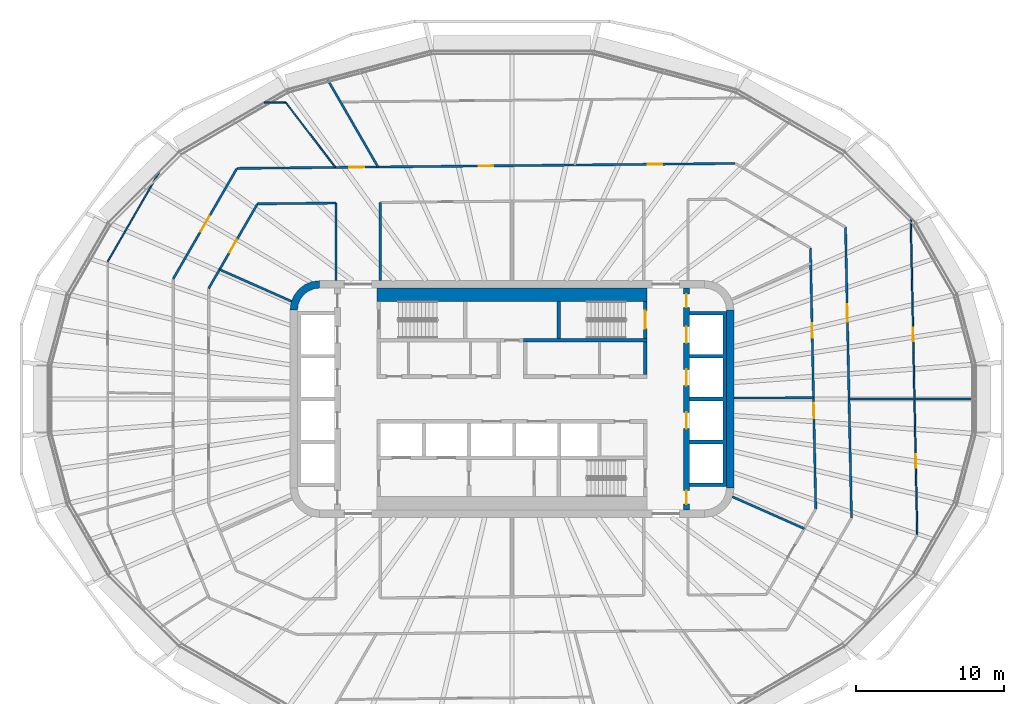
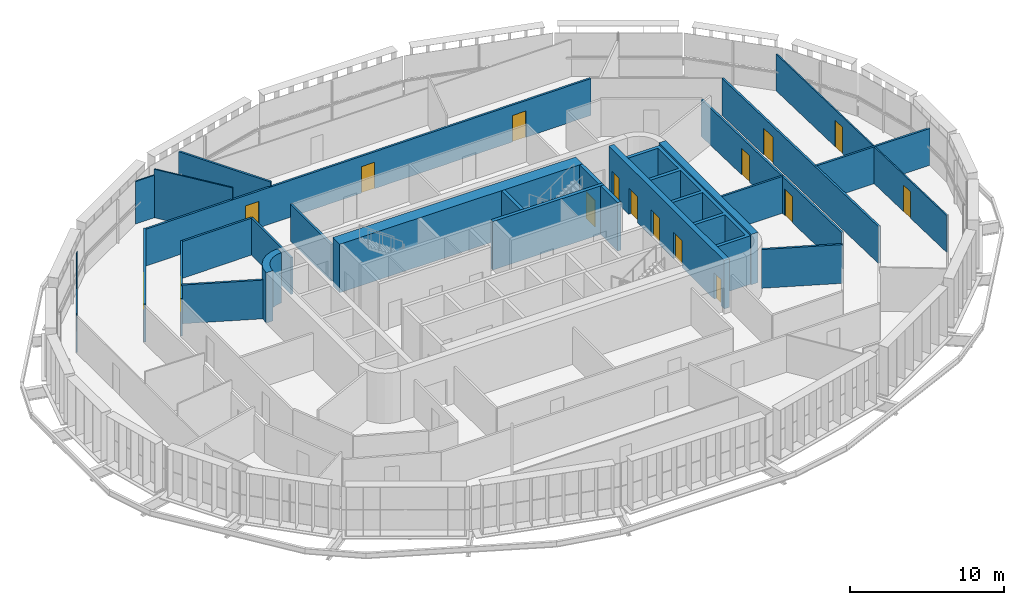
# One storey, part 14 of 23: 26 walls, 16 doors, 16 openings.
"""IFC4 building model written with IfcOpenShell, lengths in metres."""

from ifc_helpers import new_model, si_unit, direction, frame, frame_2d, origin, place, context, subcontext, project, spatial, polyline, rectangle, outline, extrude, material, layer, layer_set, type_object, element, fill, save


model = new_model("IFC4")

# Units and contexts
model_context = context("Model", 3, precision=1e-05, world=origin(), true_north=direction((0.0, 1.0)))
body_context = subcontext(model_context, "Body", "Model", "MODEL_VIEW")
ifc_project = project(units=[si_unit("LENGTHUNIT", "METRE"), si_unit("AREAUNIT", "SQUARE_METRE"), si_unit("VOLUMEUNIT", "CUBIC_METRE"), si_unit("PLANEANGLEUNIT", "RADIAN"), si_unit("MASSUNIT", "GRAM", prefix="KILO")], contexts=[model_context])

# Site, building, storey
site_placement = place(None, origin())
site = spatial("IfcSite", under=ifc_project, at=site_placement, CompositionType="ELEMENT")
building_placement = place(site_placement, origin())
building = spatial("IfcBuilding", under=site, at=building_placement, Name="Sahrelin Media Tower", CompositionType="ELEMENT")
storey_placement = place(building_placement, frame((0.0, 0.0, 161.60009765625)))
storey = spatial("IfcBuildingStorey", under=building, at=storey_placement, Name="L33", CompositionType="ELEMENT", Elevation=161.60009765625)

# Walls
ifc_material_1 = material(Name="Concrete C60/75", Category="concrete")
ifc_layer_1 = layer(ifc_material_1, 0.5)
ifc_layer_set_1 = layer_set([ifc_layer_1], Name="Core wall 500")
wall_type_1 = type_object("IfcWallType", Name="Core wall 500", PredefinedType="SHEAR", material=ifc_layer_set_1)
wall_1_placement = place(storey_placement, frame((14.75, -6.0, 0.0), z_axis=(0.0, 0.0, 1.0), x_axis=(0.0, 1.0, 0.0)))
element("IfcWall", 1, at=wall_1_placement, inside=storey, type_object=wall_type_1, Name="Core wall E L33", PredefinedType="SHEAR", context=body_context, shape_type="SweptSolid", body=[
    extrude(rectangle(XDim=12.0, YDim=0.5, at=frame_2d((6.0, 0.0))), origin(), (0.0, 0.0, 1.0), 4.0),
])
placement = place(storey_placement, origin())
element("IfcWall", 2, at=placement, inside=storey, type_object=wall_type_1, Name="Core wall corner NW L33", PredefinedType="SHEAR", context=body_context, shape_type="SweptSolid", body=[
    extrude(outline(polyline([(-15.0, 6.0), (-14.49560546875, 6.0), (-14.44482421875, 6.38720703125), (-14.29541015625, 6.747802734375), (-14.0576171875, 7.0576171875), (-13.747802734375, 7.29541015625), (-13.38720703125, 7.44482421875), (-13.0, 7.49560546875), (-13.0, 8.0), (-13.517578125, 7.931884765625), (-14.0, 7.732177734375), (-14.414306640625, 7.414306640625), (-14.732177734375, 7.0), (-14.931884765625, 6.517578125), (-15.0, 6.0)])), origin(), (0.0, 0.0, 1.0), 4.0),
])
ifc_material_2 = material(Name="Fire-rated gypsum board partition")
ifc_layer_2 = layer(ifc_material_2, 0.25)
ifc_layer_set_2 = layer_set([ifc_layer_2], Name="Fire-rated lobby wall 250")
wall_type_2 = type_object("IfcWallType", Name="Fire-rated lobby wall 250", PredefinedType="PARTITIONING", material=ifc_layer_set_2)
wall_3_placement = place(storey_placement, frame((9.0, 1.64990234375, 0.0), z_axis=(0.0, 0.0, 1.0), x_axis=(0.0, 1.0, 0.0)))
element("IfcWall", 3, at=wall_3_placement, inside=storey, type_object=wall_type_2, Name="Core lobby wall", PredefinedType="PARTITIONING", context=body_context, shape_type="SweptSolid", body=[
    extrude(rectangle(XDim=2.2001953125, YDim=0.25, at=frame_2d((1.10009765625, 0.0))), origin(), (0.0, 0.0, 1.0), 3.849853515625),
])

# Wall, openings, doors
ifc_layer_3 = layer(ifc_material_2, 0.14990234375)
ifc_layer_set_3 = layer_set([ifc_layer_3], Name="Fire-rated partition 150")
wall_type_3 = type_object("IfcWallType", Name="Fire-rated partition 150", PredefinedType="PARTITIONING", material=ifc_layer_set_3)
wall_4_placement = place(storey_placement, frame((20.1669921875, 10.212890625, 0.0), z_axis=(0.0, 0.0, 1.0), x_axis=(0.020638567039, -0.999787002091, 0.0)))
wall_4 = element("IfcWall", 4, at=wall_4_placement, inside=storey, type_object=wall_type_3, Name="Wall", PredefinedType="PARTITIONING", context=body_context, shape_type="SweptSolid", body=[
    extrude(rectangle(XDim=17.637451171875, YDim=0.14990234375, at=frame_2d((8.81884765625, 0.0))), origin(), (0.0, 0.0, 1.0), 2.927001953125),
])
opening_1_placement = place(wall_4_placement, frame((10.50732421875, 0.0, 0.0)))
opening_1 = element("IfcOpeningElement", 5, at=opening_1_placement, cuts=wall_4, Name="Opening L33-D25", PredefinedType="OPENING", context=body_context, shape_type="SweptSolid", body=[
    extrude(rectangle(XDim=1.0, YDim=2.10009765625, at=frame_2d((0.5, 1.050048828125))), frame((0.0, 0.074951171875, 0.0), z_axis=(0.0, -1.0, 0.0), x_axis=(1.0, 0.0, 0.0)), (0.0, 0.0, 1.0), 0.14990234375),
])
opening_2_placement = place(wall_4_placement, frame((5.089111328125, 0.0, 0.0)))
opening_2 = element("IfcOpeningElement", 6, at=opening_2_placement, cuts=wall_4, Name="Opening L33-D26", PredefinedType="OPENING", context=body_context, shape_type="SweptSolid", body=[
    extrude(rectangle(XDim=1.0, YDim=2.10009765625, at=frame_2d((0.5, 1.050048828125))), frame((0.0, 0.074951171875, 0.0), z_axis=(0.0, -1.0, 0.0), x_axis=(1.0, 0.0, 0.0)), (0.0, 0.0, 1.0), 0.14990234375),
])
ifc_material_3 = material(Name="Steel fire door leaf", Category="steel")
door_type_1 = type_object("IfcDoorType", Name="Fire door 1000 x 2100 EI 60", OperationType="NOTDEFINED", PredefinedType="DOOR", material=ifc_material_3)
door_1_placement = place(opening_1_placement, origin())
door_1 = element("IfcDoor", 7, at=door_1_placement, inside=storey, type_object=door_type_1, Name="Fire door", OperationType="SINGLE_SWING_RIGHT", OverallHeight=2.10009765625, OverallWidth=1.0, PredefinedType="DOOR", context=body_context, shape_type="SweptSolid", body=[
    extrude(rectangle(XDim=1.0, YDim=2.10009765625, at=frame_2d((0.5, 1.050048828125))), frame((0.0, 0.02490234375, 0.0), z_axis=(0.0, -1.0, 0.0), x_axis=(1.0, 0.0, 0.0)), (0.0, 0.0, 1.0), 0.050048828125),
])
fill(opening_1, door_1)
door_2_placement = place(opening_2_placement, origin())
door_2 = element("IfcDoor", 8, at=door_2_placement, inside=storey, type_object=door_type_1, Name="Fire door", OperationType="SINGLE_SWING_LEFT", OverallHeight=2.10009765625, OverallWidth=1.0, PredefinedType="DOOR", context=body_context, shape_type="SweptSolid", body=[
    extrude(rectangle(XDim=1.0, YDim=2.10009765625, at=frame_2d((0.5, 1.050048828125))), frame((0.0, 0.02490234375, 0.0), z_axis=(0.0, -1.0, 0.0), x_axis=(1.0, 0.0, 0.0)), (0.0, 0.0, 1.0), 0.050048828125),
])
fill(opening_2, door_2)

# Wall, opening, door
wall_5_placement = place(storey_placement, frame((22.5390625, 11.614990234375, 0.0), z_axis=(0.0, 0.0, 1.0), x_axis=(0.020626332176, -0.99978725458, 0.0)))
wall_5 = element("IfcWall", 9, at=wall_5_placement, inside=storey, type_object=wall_type_3, Name="Wall", PredefinedType="PARTITIONING", context=body_context, shape_type="SweptSolid", body=[
    extrude(rectangle(XDim=19.66015625, YDim=0.14990234375, at=frame_2d((9.830078125, 0.0))), origin(), (0.0, 0.0, 1.0), 2.927001953125),
])
opening_3_placement = place(wall_5_placement, frame((5.20751953125, 0.0, 0.0)))
opening_3 = element("IfcOpeningElement", 10, at=opening_3_placement, cuts=wall_5, Name="Opening L33-D48", PredefinedType="OPENING", context=body_context, shape_type="SweptSolid", body=[
    extrude(rectangle(XDim=1.199951171875, YDim=2.10009765625, at=frame_2d((0.60009765625, 1.050048828125))), frame((0.0, 0.074951171875, 0.0), z_axis=(0.0, -1.0, 0.0), x_axis=(1.0, 0.0, 0.0)), (0.0, 0.0, 1.0), 0.14990234375),
])
door_type_2 = type_object("IfcDoorType", Name="Service double door 1200 x 2100 EI 60", OperationType="DOUBLE_DOOR_SINGLE_SWING", PredefinedType="DOOR", material=ifc_material_3)
door_3_placement = place(opening_3_placement, origin())
door_3 = element("IfcDoor", 11, at=door_3_placement, inside=storey, type_object=door_type_2, Name="Service double door", OperationType="DOUBLE_DOOR_SINGLE_SWING", OverallHeight=2.10009765625, OverallWidth=1.199951171875, PredefinedType="DOOR", context=body_context, shape_type="SweptSolid", body=[
    extrude(rectangle(XDim=1.199951171875, YDim=2.10009765625, at=frame_2d((0.60009765625, 1.050048828125))), frame((0.0, 0.02490234375, 0.0), z_axis=(0.0, -1.0, 0.0), x_axis=(1.0, 0.0, 0.0)), (0.0, 0.0, 1.0), 0.050048828125),
])
fill(opening_3, door_3)

# Walls
wall_6_placement = place(storey_placement, frame((-12.492919921875, 21.638916015625, 0.0), z_axis=(0.0, 0.0, 1.0), x_axis=(0.500006143547, -0.866021856777, 0.0)))
element("IfcWall", 12, at=wall_6_placement, inside=storey, type_object=wall_type_3, Name="Wall", PredefinedType="PARTITIONING", context=body_context, shape_type="SweptSolid", body=[
    extrude(rectangle(XDim=6.87841796875, YDim=0.14990234375, at=frame_2d((3.439208984375, 0.0))), origin(), (0.0, 0.0, 1.0), 3.301513671875),
])
wall_7_placement = place(storey_placement, frame((-19.760009765625, 8.7548828125, 0.0), z_axis=(0.0, 0.0, 1.0), x_axis=(0.91424834547, -0.405154245695, 0.0)))
element("IfcWall", 13, at=wall_7_placement, inside=storey, type_object=wall_type_3, Name="Wall", PredefinedType="PARTITIONING", context=body_context, shape_type="SweptSolid", body=[
    extrude(rectangle(XDim=5.31787109375, YDim=0.14990234375, at=frame_2d((2.658935546875, 0.0))), origin(), (0.0, 0.0, 1.0), 3.075927734375),
])
wall_8_placement = place(storey_placement, frame((14.89501953125, -6.60693359375, 0.0), z_axis=(0.0, 0.0, 1.0), x_axis=(0.914233271379, -0.405188259337, 0.0)))
element("IfcWall", 14, at=wall_8_placement, inside=storey, type_object=wall_type_3, Name="Wall", PredefinedType="PARTITIONING", context=body_context, shape_type="SweptSolid", body=[
    extrude(rectangle(XDim=5.3173828125, YDim=0.14990234375, at=frame_2d((2.65869140625, 0.0))), origin(), (0.0, 0.0, 1.0), 3.075927734375),
])
wall_9_placement = place(storey_placement, frame((22.778076171875, 0.0, 0.0), z_axis=(0.0, 0.0, 1.0), x_axis=(1.0, 0.0, 0.0)))
element("IfcWall", 15, at=wall_9_placement, inside=storey, type_object=wall_type_3, Name="Wall", PredefinedType="PARTITIONING", context=body_context, shape_type="SweptSolid", body=[
    extrude(rectangle(XDim=8.573974609375, YDim=0.14990234375, at=frame_2d((4.287109375, 0.0))), origin(), (0.0, 0.0, 1.0), 2.927001953125),
])
wall_10_placement = place(storey_placement, frame((15.0, 0.06298828125, 0.0), z_axis=(0.0, 0.0, 1.0), x_axis=(0.999990294223, 0.004405843865, 0.0)))
element("IfcWall", 16, at=wall_10_placement, inside=storey, type_object=wall_type_3, Name="Wall", PredefinedType="PARTITIONING", context=body_context, shape_type="SweptSolid", body=[
    extrude(rectangle(XDim=5.375, YDim=0.14990234375, at=frame_2d((2.6875, 0.0))), origin(), (0.0, 0.0, 1.0), 2.927001953125),
])
wall_11_placement = place(storey_placement, frame((-17.194091796875, 13.19091796875, 0.0), z_axis=(0.0, 0.0, 1.0), x_axis=(0.999950853109, 0.009914200296, 0.0)))
element("IfcWall", 17, at=wall_11_placement, inside=storey, type_object=wall_type_3, Name="Wall", PredefinedType="PARTITIONING", context=body_context, shape_type="SweptSolid", body=[
    extrude(rectangle(XDim=5.29443359375, YDim=0.14990234375, at=frame_2d((2.647216796875, 0.0))), origin(), (0.0, 0.0, 1.0), 2.927001953125),
])

# Wall, openings, doors
wall_12_placement = place(storey_placement, frame((-18.5869140625, 15.5869140625, 0.0), z_axis=(0.0, 0.0, 1.0), x_axis=(0.999950941879, 0.009905242833, 0.0)))
wall_12 = element("IfcWall", 18, at=wall_12_placement, inside=storey, type_object=wall_type_3, Name="Wall", PredefinedType="PARTITIONING", context=body_context, shape_type="SweptSolid", body=[
    extrude(rectangle(XDim=33.668701171875, YDim=0.14990234375, at=frame_2d((16.83447265625, 0.0))), origin(), (0.0, 0.0, 1.0), 2.927001953125),
])
opening_4_placement = place(wall_12_placement, frame((7.591552734375, 0.0, 0.0)))
opening_4 = element("IfcOpeningElement", 19, at=opening_4_placement, cuts=wall_12, Name="Opening L33-D34", PredefinedType="OPENING", context=body_context, shape_type="SweptSolid", body=[
    extrude(rectangle(XDim=1.0, YDim=2.10009765625, at=frame_2d((0.5, 1.050048828125))), frame((0.0, 0.074951171875, 0.0), z_axis=(0.0, -1.0, 0.0), x_axis=(1.0, 0.0, 0.0)), (0.0, 0.0, 1.0), 0.14990234375),
])
opening_5_placement = place(wall_12_placement, frame((27.746337890625, 0.0, 0.0)))
opening_5 = element("IfcOpeningElement", 20, at=opening_5_placement, cuts=wall_12, Name="Opening L33-D50", PredefinedType="OPENING", context=body_context, shape_type="SweptSolid", body=[
    extrude(rectangle(XDim=1.0, YDim=2.10009765625, at=frame_2d((0.5, 1.050048828125))), frame((0.0, 0.074951171875, 0.0), z_axis=(0.0, -1.0, 0.0), x_axis=(1.0, 0.0, 0.0)), (0.0, 0.0, 1.0), 0.14990234375),
])
opening_6_placement = place(wall_12_placement, frame((16.334716796875, 0.0, 0.0)))
opening_6 = element("IfcOpeningElement", 21, at=opening_6_placement, cuts=wall_12, Name="Opening L33-D51", PredefinedType="OPENING", context=body_context, shape_type="SweptSolid", body=[
    extrude(rectangle(XDim=1.0, YDim=2.10009765625, at=frame_2d((0.5, 1.050048828125))), frame((0.0, 0.074951171875, 0.0), z_axis=(0.0, -1.0, 0.0), x_axis=(1.0, 0.0, 0.0)), (0.0, 0.0, 1.0), 0.14990234375),
])
door_4_placement = place(opening_4_placement, origin())
door_4 = element("IfcDoor", 22, at=door_4_placement, inside=storey, type_object=door_type_1, Name="Fire door", OperationType="SINGLE_SWING_RIGHT", OverallHeight=2.10009765625, OverallWidth=1.0, PredefinedType="DOOR", context=body_context, shape_type="SweptSolid", body=[
    extrude(rectangle(XDim=1.0, YDim=2.10009765625, at=frame_2d((0.5, 1.050048828125))), frame((0.0, 0.02490234375, 0.0), z_axis=(0.0, -1.0, 0.0), x_axis=(1.0, 0.0, 0.0)), (0.0, 0.0, 1.0), 0.050048828125),
])
fill(opening_4, door_4)
door_5_placement = place(opening_5_placement, origin())
door_5 = element("IfcDoor", 23, at=door_5_placement, inside=storey, type_object=door_type_1, Name="Fire door", OperationType="SINGLE_SWING_LEFT", OverallHeight=2.10009765625, OverallWidth=1.0, PredefinedType="DOOR", context=body_context, shape_type="SweptSolid", body=[
    extrude(rectangle(XDim=1.0, YDim=2.10009765625, at=frame_2d((0.5, 1.050048828125))), frame((0.0, 0.02490234375, 0.0), z_axis=(0.0, -1.0, 0.0), x_axis=(1.0, 0.0, 0.0)), (0.0, 0.0, 1.0), 0.050048828125),
])
fill(opening_5, door_5)
door_6_placement = place(opening_6_placement, origin())
door_6 = element("IfcDoor", 24, at=door_6_placement, inside=storey, type_object=door_type_1, Name="Fire door", OperationType="SINGLE_SWING_LEFT", OverallHeight=2.10009765625, OverallWidth=1.0, PredefinedType="DOOR", context=body_context, shape_type="SweptSolid", body=[
    extrude(rectangle(XDim=1.0, YDim=2.10009765625, at=frame_2d((0.5, 1.050048828125))), frame((0.0, 0.02490234375, 0.0), z_axis=(0.0, -1.0, 0.0), x_axis=(1.0, 0.0, 0.0)), (0.0, 0.0, 1.0), 0.050048828125),
])
fill(opening_6, door_6)

# Wall, opening, door
wall_13_placement = place(storey_placement, frame((-20.5, 7.47412109375, 0.0), z_axis=(0.0, 0.0, 1.0), x_axis=(0.500012665616, 0.866018091164, 0.0)))
wall_13 = element("IfcWall", 25, at=wall_13_placement, inside=storey, type_object=wall_type_3, Name="Wall", PredefinedType="PARTITIONING", context=body_context, shape_type="SweptSolid", body=[
    extrude(rectangle(XDim=6.602294921875, YDim=0.14990234375, at=frame_2d((3.30126953125, 0.0))), origin(), (0.0, 0.0, 1.0), 2.994873046875),
])
opening_7_placement = place(wall_13_placement, frame((2.802978515625, 0.0, 0.0)))
opening_7 = element("IfcOpeningElement", 26, at=opening_7_placement, cuts=wall_13, Name="Opening L33-D30", PredefinedType="OPENING", context=body_context, shape_type="SweptSolid", body=[
    extrude(rectangle(XDim=1.0, YDim=2.10009765625, at=frame_2d((0.5, 1.050048828125))), frame((0.0, 0.074951171875, 0.0), z_axis=(0.0, -1.0, 0.0), x_axis=(1.0, 0.0, 0.0)), (0.0, 0.0, 1.0), 0.14990234375),
])
door_7_placement = place(opening_7_placement, origin())
door_7 = element("IfcDoor", 27, at=door_7_placement, inside=storey, type_object=door_type_1, Name="Fire door", OperationType="SINGLE_SWING_LEFT", OverallHeight=2.10009765625, OverallWidth=1.0, PredefinedType="DOOR", context=body_context, shape_type="SweptSolid", body=[
    extrude(rectangle(XDim=1.0, YDim=2.10009765625, at=frame_2d((0.5, 1.050048828125))), frame((0.0, 0.02490234375, 0.0), z_axis=(0.0, -1.0, 0.0), x_axis=(1.0, 0.0, 0.0)), (0.0, 0.0, 1.0), 0.050048828125),
])
fill(opening_7, door_7)

wall_14_placement = place(storey_placement, frame((-22.89990234375, 8.116943359375, 0.0), z_axis=(0.0, 0.0, 1.0), x_axis=(0.499996047583, 0.866027685701, 0.0)))
wall_14 = element("IfcWall", 28, at=wall_14_placement, inside=storey, type_object=wall_type_3, Name="Wall", PredefinedType="PARTITIONING", context=body_context, shape_type="SweptSolid", body=[
    extrude(rectangle(XDim=8.62548828125, YDim=0.14990234375, at=frame_2d((4.312744140625, 0.0))), origin(), (0.0, 0.0, 1.0), 2.994873046875),
])
opening_8_placement = place(wall_14_placement, frame((3.712646484375, 0.0, 0.0)))
opening_8 = element("IfcOpeningElement", 29, at=opening_8_placement, cuts=wall_14, Name="Opening L33-D35", PredefinedType="OPENING", context=body_context, shape_type="SweptSolid", body=[
    extrude(rectangle(XDim=1.199951171875, YDim=2.10009765625, at=frame_2d((0.60009765625, 1.050048828125))), frame((0.0, 0.074951171875, 0.0), z_axis=(0.0, -1.0, 0.0), x_axis=(1.0, 0.0, 0.0)), (0.0, 0.0, 1.0), 0.14990234375),
])
door_8_placement = place(opening_8_placement, origin())
door_8 = element("IfcDoor", 30, at=door_8_placement, inside=storey, type_object=door_type_2, Name="Service double door", OperationType="DOUBLE_DOOR_SINGLE_SWING", OverallHeight=2.10009765625, OverallWidth=1.199951171875, PredefinedType="DOOR", context=body_context, shape_type="SweptSolid", body=[
    extrude(rectangle(XDim=1.199951171875, YDim=2.10009765625, at=frame_2d((0.60009765625, 1.050048828125))), frame((0.0, 0.02490234375, 0.0), z_axis=(0.0, -1.0, 0.0), x_axis=(1.0, 0.0, 0.0)), (0.0, 0.0, 1.0), 0.050048828125),
])
fill(opening_8, door_8)

# Walls
wall_15_placement = place(storey_placement, frame((-8.89990234375, 8.0, 0.0), z_axis=(0.0, 0.0, 1.0), x_axis=(0.0, 1.0, 0.0)))
element("IfcWall", 31, at=wall_15_placement, inside=storey, type_object=wall_type_3, Name="Wall", PredefinedType="PARTITIONING", context=body_context, shape_type="SweptSolid", body=[
    extrude(rectangle(XDim=5.282958984375, YDim=0.14990234375, at=frame_2d((2.6416015625, 0.0))), origin(), (0.0, 0.0, 1.0), 2.927001953125),
])
wall_16_placement = place(storey_placement, frame((-11.89990234375, 8.0, 0.0), z_axis=(0.0, 0.0, 1.0), x_axis=(0.0, 1.0, 0.0)))
element("IfcWall", 32, at=wall_16_placement, inside=storey, type_object=wall_type_3, Name="Wall", PredefinedType="PARTITIONING", context=body_context, shape_type="SweptSolid", body=[
    extrude(rectangle(XDim=5.242919921875, YDim=0.14990234375, at=frame_2d((2.62158203125, 0.0))), origin(), (0.0, 0.0, 1.0), 2.927001953125),
])
ifc_layer_4 = layer(ifc_material_1, 0.25)
ifc_layer_set_4 = layer_set([ifc_layer_4], Name="Lift shaft wall 250")
wall_type_4 = type_object("IfcWallType", Name="Lift shaft wall 250", PredefinedType="SOLIDWALL", material=ifc_layer_set_4)
element("IfcWall", 33, at=placement, inside=storey, type_object=wall_type_4, Name="Lift shaft wall", PredefinedType="SOLIDWALL", context=body_context, shape_type="SweptSolid", body=[
    extrude(outline(polyline([(12.0, -5.675048828125), (12.0, -5.925048828125), (14.25, -5.925048828125), (14.5, -5.925048828125), (14.5, -5.675048828125), (14.5, -3.02490234375), (14.5, -2.77490234375), (14.5, -0.125), (14.5, 0.125), (14.5, 2.77490234375), (14.5, 3.02490234375), (14.5, 5.675048828125), (14.5, 5.925048828125), (14.25, 5.925048828125), (12.0, 5.925048828125), (12.0, 5.675048828125), (14.25, 5.675048828125), (14.25, 3.02490234375), (12.0, 3.02490234375), (12.0, 2.77490234375), (14.25, 2.77490234375), (14.25, 0.125), (12.0, 0.125), (12.0, -0.125), (14.25, -0.125), (14.25, -2.77490234375), (12.0, -2.77490234375), (12.0, -3.02490234375), (14.25, -3.02490234375), (14.25, -5.675048828125), (12.0, -5.675048828125)])), origin(), (0.0, 0.0, 1.0), 3.849853515625),
])

# Wall, openings, doors
ifc_layer_5 = layer(ifc_material_1, 0.39990234375)
ifc_layer_set_5 = layer_set([ifc_layer_5], Name="Lift shaft wall 400")
wall_type_5 = type_object("IfcWallType", Name="Lift shaft wall 400", PredefinedType="SOLIDWALL", material=ifc_layer_set_5)
wall_18_placement = place(storey_placement, frame((11.800048828125, -7.5, 0.0), z_axis=(0.0, 0.0, 1.0), x_axis=(0.0, 1.0, 0.0)))
wall_18 = element("IfcWall", 34, at=wall_18_placement, inside=storey, type_object=wall_type_5, Name="Lift shaft wall", PredefinedType="SOLIDWALL", context=body_context, shape_type="SweptSolid", body=[
    extrude(rectangle(XDim=15.0, YDim=0.39990234375, at=frame_2d((7.5, 0.0))), origin(), (0.0, 0.0, 1.0), 3.849853515625),
])
opening_9_placement = place(wall_18_placement, frame((11.300048828125, 0.0, 0.0)))
opening_9 = element("IfcOpeningElement", 35, at=opening_9_placement, cuts=wall_18, Name="Opening L33-LD-LR4", PredefinedType="OPENING", context=body_context, shape_type="SweptSolid", body=[
    extrude(rectangle(XDim=1.10009765625, YDim=2.10009765625, at=frame_2d((0.550048828125, 1.050048828125))), frame((0.0, 0.199951171875, 0.0), z_axis=(0.0, -1.0, 0.0), x_axis=(1.0, 0.0, 0.0)), (0.0, 0.0, 1.0), 0.39990234375),
])
opening_10_placement = place(wall_18_placement, frame((8.39990234375, 0.0, 0.0)))
opening_10 = element("IfcOpeningElement", 36, at=opening_10_placement, cuts=wall_18, Name="Opening L33-LD-LR5", PredefinedType="OPENING", context=body_context, shape_type="SweptSolid", body=[
    extrude(rectangle(XDim=1.10009765625, YDim=2.10009765625, at=frame_2d((0.550048828125, 1.050048828125))), frame((0.0, 0.199951171875, 0.0), z_axis=(0.0, -1.0, 0.0), x_axis=(1.0, 0.0, 0.0)), (0.0, 0.0, 1.0), 0.39990234375),
])
opening_11_placement = place(wall_18_placement, frame((5.5, 0.0, 0.0)))
opening_11 = element("IfcOpeningElement", 37, at=opening_11_placement, cuts=wall_18, Name="Opening L33-LD-LR6", PredefinedType="OPENING", context=body_context, shape_type="SweptSolid", body=[
    extrude(rectangle(XDim=1.10009765625, YDim=2.10009765625, at=frame_2d((0.550048828125, 1.050048828125))), frame((0.0, 0.199951171875, 0.0), z_axis=(0.0, -1.0, 0.0), x_axis=(1.0, 0.0, 0.0)), (0.0, 0.0, 1.0), 0.39990234375),
])
opening_12_placement = place(wall_18_placement, frame((13.696533203125, 0.0, 0.0)))
opening_12 = element("IfcOpeningElement", 38, at=opening_12_placement, cuts=wall_18, Name="Opening L33-D16", PredefinedType="OPENING", context=body_context, shape_type="SweptSolid", body=[
    extrude(rectangle(XDim=0.89990234375, YDim=2.10009765625, at=frame_2d((0.449951171875, 1.050048828125))), frame((0.0, 0.199951171875, 0.0), z_axis=(0.0, -1.0, 0.0), x_axis=(1.0, 0.0, 0.0)), (0.0, 0.0, 1.0), 0.39990234375),
])
opening_13_placement = place(wall_18_placement, frame((0.4033203125, 0.0, 0.0)))
opening_13 = element("IfcOpeningElement", 39, at=opening_13_placement, cuts=wall_18, Name="Opening L33-D17", PredefinedType="OPENING", context=body_context, shape_type="SweptSolid", body=[
    extrude(rectangle(XDim=0.89990234375, YDim=2.10009765625, at=frame_2d((0.449951171875, 1.050048828125))), frame((0.0, 0.199951171875, 0.0), z_axis=(0.0, -1.0, 0.0), x_axis=(1.0, 0.0, 0.0)), (0.0, 0.0, 1.0), 0.39990234375),
])
ifc_material_4 = material(Name="Stainless steel", Category="steel")
door_type_3 = type_object("IfcDoorType", Name="Lift landing door 1100 x 2100 EI 120", OperationType="DOUBLE_DOOR_SLIDING", PredefinedType="DOOR", material=ifc_material_4)
door_9_placement = place(opening_9_placement, origin())
door_9 = element("IfcDoor", 40, at=door_9_placement, inside=storey, type_object=door_type_3, Name="Lift landing door LR4", OperationType="DOUBLE_DOOR_SLIDING", OverallHeight=2.10009765625, OverallWidth=1.10009765625, PredefinedType="DOOR", context=body_context, shape_type="SweptSolid", body=[
    extrude(rectangle(XDim=1.10009765625, YDim=2.10009765625, at=frame_2d((0.550048828125, 1.050048828125))), frame((0.0, 0.02490234375, 0.0), z_axis=(0.0, -1.0, 0.0), x_axis=(1.0, 0.0, 0.0)), (0.0, 0.0, 1.0), 0.050048828125),
])
fill(opening_9, door_9)
door_10_placement = place(opening_10_placement, origin())
door_10 = element("IfcDoor", 41, at=door_10_placement, inside=storey, type_object=door_type_3, Name="Lift landing door LR5", OperationType="DOUBLE_DOOR_SLIDING", OverallHeight=2.10009765625, OverallWidth=1.10009765625, PredefinedType="DOOR", context=body_context, shape_type="SweptSolid", body=[
    extrude(rectangle(XDim=1.10009765625, YDim=2.10009765625, at=frame_2d((0.550048828125, 1.050048828125))), frame((0.0, 0.02490234375, 0.0), z_axis=(0.0, -1.0, 0.0), x_axis=(1.0, 0.0, 0.0)), (0.0, 0.0, 1.0), 0.050048828125),
])
fill(opening_10, door_10)
door_11_placement = place(opening_11_placement, origin())
door_11 = element("IfcDoor", 42, at=door_11_placement, inside=storey, type_object=door_type_3, Name="Lift landing door LR6", OperationType="DOUBLE_DOOR_SLIDING", OverallHeight=2.10009765625, OverallWidth=1.10009765625, PredefinedType="DOOR", context=body_context, shape_type="SweptSolid", body=[
    extrude(rectangle(XDim=1.10009765625, YDim=2.10009765625, at=frame_2d((0.550048828125, 1.050048828125))), frame((0.0, 0.02490234375, 0.0), z_axis=(0.0, -1.0, 0.0), x_axis=(1.0, 0.0, 0.0)), (0.0, 0.0, 1.0), 0.050048828125),
])
fill(opening_11, door_11)
door_type_4 = type_object("IfcDoorType", Name="Riser door 900 x 2100 EI 120", OperationType="NOTDEFINED", PredefinedType="DOOR", material=ifc_material_3)
door_12_placement = place(opening_12_placement, origin())
door_12 = element("IfcDoor", 43, at=door_12_placement, inside=storey, type_object=door_type_4, Name="Riser door", OperationType="SINGLE_SWING_RIGHT", OverallHeight=2.10009765625, OverallWidth=0.89990234375, PredefinedType="DOOR", context=body_context, shape_type="SweptSolid", body=[
    extrude(rectangle(XDim=0.89990234375, YDim=2.10009765625, at=frame_2d((0.449951171875, 1.050048828125))), frame((0.0, 0.02490234375, 0.0), z_axis=(0.0, -1.0, 0.0), x_axis=(1.0, 0.0, 0.0)), (0.0, 0.0, 1.0), 0.050048828125),
])
fill(opening_12, door_12)
door_13_placement = place(opening_13_placement, origin())
door_13 = element("IfcDoor", 44, at=door_13_placement, inside=storey, type_object=door_type_4, Name="Riser door", OperationType="SINGLE_SWING_RIGHT", OverallHeight=2.10009765625, OverallWidth=0.89990234375, PredefinedType="DOOR", context=body_context, shape_type="SweptSolid", body=[
    extrude(rectangle(XDim=0.89990234375, YDim=2.10009765625, at=frame_2d((0.449951171875, 1.050048828125))), frame((0.0, 0.02490234375, 0.0), z_axis=(0.0, -1.0, 0.0), x_axis=(1.0, 0.0, 0.0)), (0.0, 0.0, 1.0), 0.050048828125),
])
fill(opening_13, door_13)

ifc_material_5 = material(Name="Gypsum board partition")
ifc_layer_6 = layer(ifc_material_5, 0.10009765625)
ifc_layer_set_6 = layer_set([ifc_layer_6], Name="Partition 100")
wall_type_6 = type_object("IfcWallType", Name="Partition 100", PredefinedType="PARTITIONING", material=ifc_layer_set_6)
wall_19_placement = place(storey_placement, frame((26.947021484375, 12.2529296875, 0.0), z_axis=(0.0, 0.0, 1.0), x_axis=(0.02056465771, -0.999788525066, 0.0)))
wall_19 = element("IfcWall", 45, at=wall_19_placement, inside=storey, type_object=wall_type_6, Name="Wall", PredefinedType="PARTITIONING", context=body_context, shape_type="SweptSolid", body=[
    extrude(rectangle(XDim=21.440673828125, YDim=0.10009765625, at=frame_2d((10.72021484375, 0.0))), origin(), (0.0, 0.0, 1.0), 2.927001953125),
])
opening_14_placement = place(wall_19_placement, frame((15.993408203125, 0.0, 0.0)))
opening_14 = element("IfcOpeningElement", 46, at=opening_14_placement, cuts=wall_19, Name="Opening L33-D47", PredefinedType="OPENING", context=body_context, shape_type="SweptSolid", body=[
    extrude(rectangle(XDim=0.89990234375, YDim=2.10009765625, at=frame_2d((0.449951171875, 1.050048828125))), frame((0.0, 0.050048828125, 0.0), z_axis=(0.0, -1.0, 0.0), x_axis=(1.0, 0.0, 0.0)), (0.0, 0.0, 1.0), 0.10009765625),
])
opening_15_placement = place(wall_19_placement, frame((7.437255859375, 0.0, 0.0)))
opening_15 = element("IfcOpeningElement", 47, at=opening_15_placement, cuts=wall_19, Name="Opening L33-D49", PredefinedType="OPENING", context=body_context, shape_type="SweptSolid", body=[
    extrude(rectangle(XDim=0.89990234375, YDim=2.10009765625, at=frame_2d((0.449951171875, 1.050048828125))), frame((0.0, 0.050048828125, 0.0), z_axis=(0.0, -1.0, 0.0), x_axis=(1.0, 0.0, 0.0)), (0.0, 0.0, 1.0), 0.10009765625),
])
ifc_material_6 = material(Name="Timber door leaf", Category="wood")
door_type_5 = type_object("IfcDoorType", Name="Single door 900 x 2100", OperationType="NOTDEFINED", PredefinedType="DOOR", material=ifc_material_6)
door_14_placement = place(opening_14_placement, origin())
door_14 = element("IfcDoor", 48, at=door_14_placement, inside=storey, type_object=door_type_5, Name="Single door", OperationType="SINGLE_SWING_RIGHT", OverallHeight=2.10009765625, OverallWidth=0.89990234375, PredefinedType="DOOR", context=body_context, shape_type="SweptSolid", body=[
    extrude(rectangle(XDim=0.89990234375, YDim=2.10009765625, at=frame_2d((0.449951171875, 1.050048828125))), frame((0.0, 0.02490234375, 0.0), z_axis=(0.0, -1.0, 0.0), x_axis=(1.0, 0.0, 0.0)), (0.0, 0.0, 1.0), 0.050048828125),
])
fill(opening_14, door_14)
door_15_placement = place(opening_15_placement, origin())
door_15 = element("IfcDoor", 49, at=door_15_placement, inside=storey, type_object=door_type_5, Name="Single door", OperationType="SINGLE_SWING_RIGHT", OverallHeight=2.10009765625, OverallWidth=0.89990234375, PredefinedType="DOOR", context=body_context, shape_type="SweptSolid", body=[
    extrude(rectangle(XDim=0.89990234375, YDim=2.10009765625, at=frame_2d((0.449951171875, 1.050048828125))), frame((0.0, 0.02490234375, 0.0), z_axis=(0.0, -1.0, 0.0), x_axis=(1.0, 0.0, 0.0)), (0.0, 0.0, 1.0), 0.050048828125),
])
fill(opening_15, door_15)

# Walls
wall_20_placement = place(storey_placement, frame((-15.2890625, 20.0400390625, 0.0), z_axis=(0.0, 0.0, 1.0), x_axis=(0.606584285527, -0.795019185021, 0.0)))
element("IfcWall", 50, at=wall_20_placement, inside=storey, type_object=wall_type_6, Name="Wall", PredefinedType="PARTITIONING", context=body_context, shape_type="SweptSolid", body=[
    extrude(rectangle(XDim=5.51806640625, YDim=0.10009765625, at=frame_2d((2.759033203125, 0.0))), origin(), (0.0, 0.0, 1.0), 3.849853515625),
])
wall_21_placement = place(storey_placement, frame((-16.736083984375, 20.02587890625, 0.0), z_axis=(0.0, 0.0, 1.0), x_axis=(0.999950458187, 0.009953952595, 0.0)))
element("IfcWall", 51, at=wall_21_placement, inside=storey, type_object=wall_type_6, Name="Wall", PredefinedType="PARTITIONING", context=body_context, shape_type="SweptSolid", body=[
    extrude(rectangle(XDim=1.447021484375, YDim=0.10009765625, at=frame_2d((0.7236328125, 0.0))), origin(), (0.0, 0.0, 1.0), 3.372802734375),
])
wall_22_placement = place(storey_placement, frame((-27.320068359375, 9.301025390625, 0.0), z_axis=(0.0, 0.0, 1.0), x_axis=(0.500043278267, 0.866000415624, 0.0)))
element("IfcWall", 52, at=wall_22_placement, inside=storey, type_object=wall_type_6, Name="Wall", PredefinedType="PARTITIONING", context=body_context, shape_type="SweptSolid", body=[
    extrude(rectangle(XDim=7.04833984375, YDim=0.10009765625, at=frame_2d((3.524169921875, 0.0))), origin(), (0.0, 0.0, 1.0), 3.075927734375),
])

# Wall, opening, door
ifc_layer_7 = layer(ifc_material_1, 0.25)
ifc_layer_set_7 = layer_set([ifc_layer_7], Name="Stair enclosure wall 250")
wall_type_7 = type_object("IfcWallType", Name="Stair enclosure wall 250", PredefinedType="SOLIDWALL", material=ifc_layer_set_7)
wall_23_placement = place(storey_placement, frame((9.0, 4.10009765625, 0.0), z_axis=(0.0, 0.0, 1.0), x_axis=(0.0, 1.0, 0.0)))
wall_23 = element("IfcWall", 53, at=wall_23_placement, inside=storey, type_object=wall_type_7, Name="Stair enclosure wall", PredefinedType="SOLIDWALL", context=body_context, shape_type="SweptSolid", body=[
    extrude(rectangle(XDim=2.5, YDim=0.25, at=frame_2d((1.25, 0.0))), origin(), (0.0, 0.0, 1.0), 3.849853515625),
])
opening_16_placement = place(wall_23_placement, frame((0.64990234375, 0.0, 0.0)))
opening_16 = element("IfcOpeningElement", 54, at=opening_16_placement, cuts=wall_23, Name="Opening L33-D02", PredefinedType="OPENING", context=body_context, shape_type="SweptSolid", body=[
    extrude(rectangle(XDim=1.199951171875, YDim=2.10009765625, at=frame_2d((0.60009765625, 1.050048828125))), frame((0.0, 0.125, 0.0), z_axis=(0.0, -1.0, 0.0), x_axis=(1.0, 0.0, 0.0)), (0.0, 0.0, 1.0), 0.25),
])
door_type_6 = type_object("IfcDoorType", Name="Stair door 1200 x 2100 EI 120", OperationType="NOTDEFINED", PredefinedType="DOOR", material=ifc_material_3)
door_16_placement = place(opening_16_placement, origin())
door_16 = element("IfcDoor", 55, at=door_16_placement, inside=storey, type_object=door_type_6, Name="Stair door ST3", OperationType="SINGLE_SWING_LEFT", OverallHeight=2.10009765625, OverallWidth=1.199951171875, PredefinedType="DOOR", context=body_context, shape_type="SweptSolid", body=[
    extrude(rectangle(XDim=1.199951171875, YDim=2.10009765625, at=frame_2d((0.60009765625, 1.050048828125))), frame((0.0, 0.02490234375, 0.0), z_axis=(0.0, -1.0, 0.0), x_axis=(1.0, 0.0, 0.0)), (0.0, 0.0, 1.0), 0.050048828125),
])
fill(opening_16, door_16)

# Walls
wall_24_placement = place(storey_placement, frame((3.14990234375, 4.10009765625, 0.0), z_axis=(0.0, 0.0, 1.0), x_axis=(0.0, 1.0, 0.0)))
element("IfcWall", 56, at=wall_24_placement, inside=storey, type_object=wall_type_7, Name="Stair enclosure wall", PredefinedType="SOLIDWALL", context=body_context, shape_type="SweptSolid", body=[
    extrude(rectangle(XDim=2.5, YDim=0.25, at=frame_2d((1.25, 0.0))), origin(), (0.0, 0.0, 1.0), 3.849853515625),
])
wall_25_placement = place(storey_placement, frame((0.77490234375, 3.97509765625, 0.0), z_axis=(0.0, 0.0, 1.0), x_axis=(1.0, 0.0, 0.0)))
element("IfcWall", 57, at=wall_25_placement, inside=storey, type_object=wall_type_7, Name="Stair enclosure wall", PredefinedType="SOLIDWALL", context=body_context, shape_type="SweptSolid", body=[
    extrude(rectangle(XDim=8.35009765625, YDim=0.25, at=frame_2d((4.175048828125, 0.0))), origin(), (0.0, 0.0, 1.0), 3.849853515625),
])
ifc_layer_8 = layer(ifc_material_1, 0.89990234375)
ifc_layer_set_8 = layer_set([ifc_layer_8], Name="Stair enclosure wall 900")
wall_type_8 = type_object("IfcWallType", Name="Stair enclosure wall 900", PredefinedType="SOLIDWALL", material=ifc_layer_set_8)
wall_26_placement = place(storey_placement, frame((-9.125, 7.050048828125, 0.0), z_axis=(0.0, 0.0, 1.0), x_axis=(1.0, 0.0, 0.0)))
element("IfcWall", 58, at=wall_26_placement, inside=storey, type_object=wall_type_8, Name="Stair enclosure wall", PredefinedType="SOLIDWALL", context=body_context, shape_type="SweptSolid", body=[
    extrude(rectangle(XDim=18.25, YDim=0.89990234375, at=frame_2d((9.125, 0.0))), origin(), (0.0, 0.0, 1.0), 3.849853515625),
])

save(model, "model.ifc")
